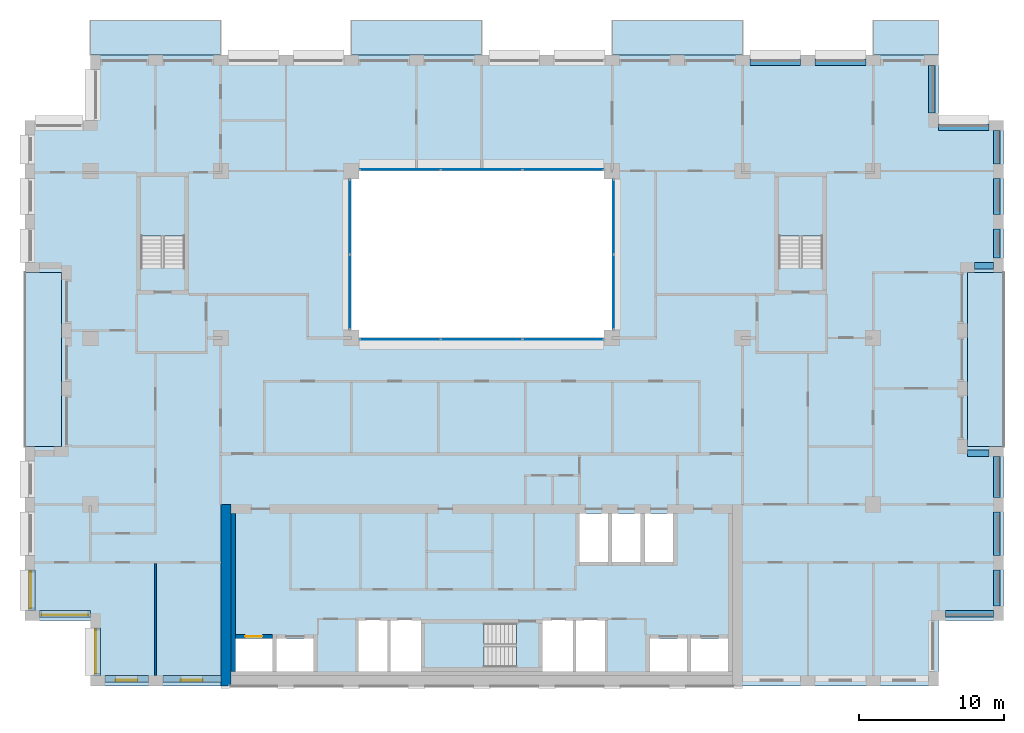
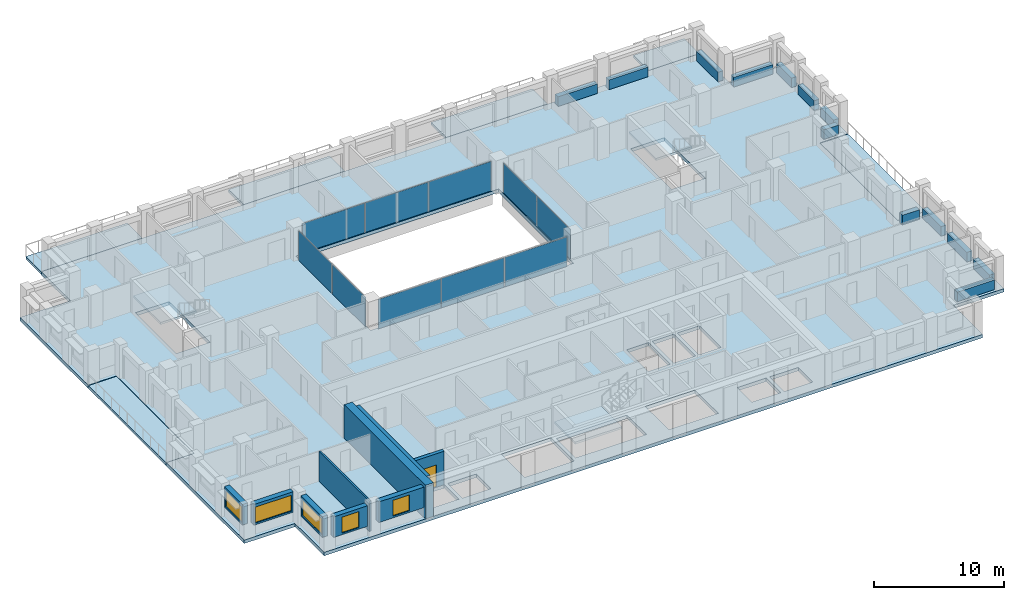
# One storey, part 7 of 15: 13 beams, 10 plates, 10 slabs, 9 walls, 5 windows, 1 door, 6 openings, 7 elements without a shape of their own.
"""IFC4 building model written with IfcOpenShell, lengths in metres."""

from ifc_helpers import new_model, si_unit, direction, frame, frame_2d, origin, origin_2d, place, context, subcontext, project, spatial, polyline, rectangle, outline, extrude, material, layer, layer_set, material_profile, profile_set, type_object, element, fill, aggregate, save


model = new_model("IFC4")

# Units and contexts
model_context = context("Model", 3, precision=1e-05, world=origin(), true_north=direction((0.0, 1.0)))
body_context = subcontext(model_context, "Body", "Model", "MODEL_VIEW")
ifc_project = project(units=[si_unit("LENGTHUNIT", "METRE"), si_unit("AREAUNIT", "SQUARE_METRE"), si_unit("VOLUMEUNIT", "CUBIC_METRE"), si_unit("PLANEANGLEUNIT", "RADIAN"), si_unit("MASSUNIT", "GRAM", prefix="KILO")], contexts=[model_context])

# Site, building, storey
site_placement = place(None, origin())
site = spatial("IfcSite", under=ifc_project, at=site_placement, CompositionType="ELEMENT")
building_placement = place(site_placement, origin())
building = spatial("IfcBuilding", under=site, at=building_placement, Name="Brigalow Station Residences", CompositionType="ELEMENT")
storey_placement = place(building_placement, frame((0.0, 0.0, 144.449951171875)))
storey = spatial("IfcBuildingStorey", under=building, at=storey_placement, Name="L41", CompositionType="ELEMENT", Elevation=144.449951171875)

# Beams
ifc_material_1 = material(Name="Concrete C50", Category="concrete")
ifc_material_profile = material_profile(ifc_material_1, rectangle(XDim=0.449951171875, YDim=0.89990234375, at=origin_2d()), Name="RC450x900")
ifc_profile_set = profile_set([ifc_material_profile], Name="Concrete C50")
beam_type = type_object("IfcBeamType", Name="SPANDREL BEAM 450x900 C50", PredefinedType="SPANDREL", material=ifc_profile_set)
beam_1_placement = place(storey_placement, frame((68.0, 4.97509765625, 0.449951171875), z_axis=(1.0, 0.0, 0.0), x_axis=(0.0, 1.0, 0.0)))
element("IfcBeam", 1, at=beam_1_placement, inside=storey, type_object=beam_type, Name="L41/spandrel/W-L41-8", PredefinedType="SPANDREL", context=body_context, shape_type="SweptSolid", body=[
    extrude(rectangle(XDim=0.449951171875, YDim=0.89990234375, at=origin_2d()), origin(), (0.0, 0.0, 1.0), 3.300048828125),
])
beam_2_placement = place(storey_placement, frame((71.52490234375, 5.5, 0.449951171875), z_axis=(0.0, 1.0, 0.0), x_axis=(-1.0, 0.0, 0.0)))
element("IfcBeam", 2, at=beam_2_placement, inside=storey, type_object=beam_type, Name="L41/spandrel/W-L41-9", PredefinedType="SPANDREL", context=body_context, shape_type="SweptSolid", body=[
    extrude(rectangle(XDim=0.449951171875, YDim=0.89990234375, at=origin_2d()), origin(), (0.0, 0.0, 1.0), 2.5),
])
beam_3_placement = place(storey_placement, frame((71.52490234375, 9.0, 0.449951171875), z_axis=(0.0, 1.0, 0.0), x_axis=(-1.0, 0.0, 0.0)))
element("IfcBeam", 3, at=beam_3_placement, inside=storey, type_object=beam_type, Name="L41/spandrel/W-L41-10", PredefinedType="SPANDREL", context=body_context, shape_type="SweptSolid", body=[
    extrude(rectangle(XDim=0.449951171875, YDim=0.89990234375, at=origin_2d()), origin(), (0.0, 0.0, 1.0), 3.0),
])
beam_4_placement = place(storey_placement, frame((71.52490234375, 13.0, 0.449951171875), z_axis=(0.0, 1.0, 0.0), x_axis=(-1.0, 0.0, 0.0)))
element("IfcBeam", 4, at=beam_4_placement, inside=storey, type_object=beam_type, Name="L41/spandrel/W-L41-11", PredefinedType="SPANDREL", context=body_context, shape_type="SweptSolid", body=[
    extrude(rectangle(XDim=0.449951171875, YDim=0.89990234375, at=origin_2d()), origin(), (0.0, 0.0, 1.0), 2.800048828125),
])
beam_5_placement = place(storey_placement, frame((71.0, 16.02490234375, 0.449951171875), z_axis=(-1.0, 0.0, 0.0), x_axis=(0.0, -1.0, 0.0)))
element("IfcBeam", 5, at=beam_5_placement, inside=storey, type_object=beam_type, Name="L41/spandrel/W-L41-12", PredefinedType="SPANDREL", context=body_context, shape_type="SweptSolid", body=[
    extrude(rectangle(XDim=0.449951171875, YDim=0.89990234375, at=origin_2d()), origin(), (0.0, 0.0, 1.0), 1.5),
])
beam_6_placement = place(storey_placement, frame((70.0, 28.97509765625, 0.449951171875), z_axis=(1.0, 0.0, 0.0), x_axis=(0.0, 1.0, 0.0)))
element("IfcBeam", 6, at=beam_6_placement, inside=storey, type_object=beam_type, Name="L41/spandrel/W-L41-16", PredefinedType="SPANDREL", context=body_context, shape_type="SweptSolid", body=[
    extrude(rectangle(XDim=0.449951171875, YDim=0.89990234375, at=origin_2d()), origin(), (0.0, 0.0, 1.0), 1.300048828125),
])
beam_7_placement = place(storey_placement, frame((71.52490234375, 29.5, 0.449951171875), z_axis=(0.0, 1.0, 0.0), x_axis=(-1.0, 0.0, 0.0)))
element("IfcBeam", 7, at=beam_7_placement, inside=storey, type_object=beam_type, Name="L41/spandrel/W-L41-17", PredefinedType="SPANDREL", context=body_context, shape_type="SweptSolid", body=[
    extrude(rectangle(XDim=0.449951171875, YDim=0.89990234375, at=origin_2d()), origin(), (0.0, 0.0, 1.0), 2.0),
])
beam_8_placement = place(storey_placement, frame((71.52490234375, 32.5, 0.449951171875), z_axis=(0.0, 1.0, 0.0), x_axis=(-1.0, 0.0, 0.0)))
element("IfcBeam", 8, at=beam_8_placement, inside=storey, type_object=beam_type, Name="L41/spandrel/W-L41-18", PredefinedType="SPANDREL", context=body_context, shape_type="SweptSolid", body=[
    extrude(rectangle(XDim=0.449951171875, YDim=0.89990234375, at=origin_2d()), origin(), (0.0, 0.0, 1.0), 2.5),
])
beam_9_placement = place(storey_placement, frame((71.52490234375, 36.0, 0.449951171875), z_axis=(0.0, 1.0, 0.0), x_axis=(-1.0, 0.0, 0.0)))
element("IfcBeam", 9, at=beam_9_placement, inside=storey, type_object=beam_type, Name="L41/spandrel/W-L41-19", PredefinedType="SPANDREL", context=body_context, shape_type="SweptSolid", body=[
    extrude(rectangle(XDim=0.449951171875, YDim=0.89990234375, at=origin_2d()), origin(), (0.0, 0.0, 1.0), 2.300048828125),
])
beam_10_placement = place(storey_placement, frame((71.0, 38.52490234375, 0.449951171875), z_axis=(-1.0, 0.0, 0.0), x_axis=(0.0, -1.0, 0.0)))
element("IfcBeam", 10, at=beam_10_placement, inside=storey, type_object=beam_type, Name="L41/spandrel/W-L41-20", PredefinedType="SPANDREL", context=body_context, shape_type="SweptSolid", body=[
    extrude(rectangle(XDim=0.449951171875, YDim=0.89990234375, at=origin_2d()), origin(), (0.0, 0.0, 1.0), 3.5),
])
beam_11_placement = place(storey_placement, frame((67.02490234375, 39.5, 0.449951171875), z_axis=(0.0, 1.0, 0.0), x_axis=(-1.0, 0.0, 0.0)))
element("IfcBeam", 11, at=beam_11_placement, inside=storey, type_object=beam_type, Name="L41/spandrel/W-L41-21", PredefinedType="SPANDREL", context=body_context, shape_type="SweptSolid", body=[
    extrude(rectangle(XDim=0.449951171875, YDim=0.89990234375, at=origin_2d()), origin(), (0.0, 0.0, 1.0), 3.300048828125),
])
for number, where, z_axis, x_axis, name in (
    (12, (62.5, 43.02490234375, 0.449951171875), (-1.0, 0.0, 0.0), (0.0, -1.0, 0.0), "L41/spandrel/W-L41-23"),
    (13, (58.0, 43.02490234375, 0.449951171875), (-1.0, 0.0, 0.0), (0.0, -1.0, 0.0), "L41/spandrel/W-L41-24"),
):
    element("IfcBeam", number, at=place(storey_placement, frame(where, z_axis=z_axis, x_axis=x_axis)), inside=storey, type_object=beam_type, Name=name, PredefinedType="SPANDREL", context=body_context, shape_type="SweptSolid", body=[
        extrude(rectangle(XDim=0.449951171875, YDim=0.89990234375, at=origin_2d()), origin(), (0.0, 0.0, 1.0), 3.5),
    ])

# Curtain wall, plates
ifc_material_2 = material(Name="Aluminium", Category="aluminium")
ifc_layer_1 = layer(ifc_material_2, 0.14990234375)
ifc_layer_set_1 = layer_set([ifc_layer_1], Name="ATRIUM FIRE-RATED GLAZING CURTAIN WALL")
curtain_wall_type = type_object("IfcCurtainWallType", Name="ATRIUM FIRE-RATED GLAZING CURTAIN WALL", PredefinedType="NOTDEFINED", material=ifc_layer_set_1)
curtain_wall_1_placement = place(storey_placement, origin())
curtain_wall_1 = element("IfcCurtainWall", 14, at=curtain_wall_1_placement, inside=storey, type_object=curtain_wall_type, Name="L41/cw/atrium-S", PredefinedType="NOTDEFINED")
ifc_material_3 = material(Name="Fire-resisting laminated glazing, FRL -/60/-", Category="glass")
ifc_layer_2 = layer(ifc_material_3, 0.031982421875)
ifc_layer_set_2 = layer_set([ifc_layer_2], Name="ATRIUM FIRE-RATED GLAZING PANEL 32")
plate_type = type_object("IfcPlateType", Name="ATRIUM FIRE-RATED GLAZING PANEL 32", PredefinedType="CURTAIN_PANEL", material=ifc_layer_set_2)
plate_1_placement = place(storey_placement, frame((30.381591796875, 23.89990234375, 0.0), z_axis=(0.0, 0.0, 1.0), x_axis=(1.0, 0.0, 0.0)))
plate_1 = element("IfcPlate", 15, at=plate_1_placement, type_object=plate_type, Name="L41/cw/atrium-S/P00-00", PredefinedType="CURTAIN_PANEL", context=body_context, shape_type="SweptSolid", body=[
    extrude(rectangle(XDim=5.543212890625, YDim=0.031982421875, at=origin_2d()), origin(), (0.0, 0.0, 1.0), 2.77001953125),
])
plate_2_placement = place(storey_placement, frame((36.0, 23.89990234375, 0.0), z_axis=(0.0, 0.0, 1.0), x_axis=(1.0, 0.0, 0.0)))
plate_2 = element("IfcPlate", 16, at=plate_2_placement, type_object=plate_type, Name="L41/cw/atrium-S/P01-00", PredefinedType="CURTAIN_PANEL", context=body_context, shape_type="SweptSolid", body=[
    extrude(rectangle(XDim=5.5732421875, YDim=0.031982421875, at=origin_2d()), origin(), (0.0, 0.0, 1.0), 2.77001953125),
])
plate_3_placement = place(storey_placement, frame((41.618408203125, 23.89990234375, 0.0), z_axis=(0.0, 0.0, 1.0), x_axis=(1.0, 0.0, 0.0)))
plate_3 = element("IfcPlate", 17, at=plate_3_placement, type_object=plate_type, Name="L41/cw/atrium-S/P02-00", PredefinedType="CURTAIN_PANEL", context=body_context, shape_type="SweptSolid", body=[
    extrude(rectangle(XDim=5.543212890625, YDim=0.031982421875, at=origin_2d()), origin(), (0.0, 0.0, 1.0), 2.77001953125),
])
aggregate(curtain_wall_1, [plate_1, plate_2, plate_3])

curtain_wall_2_placement = place(storey_placement, origin())
curtain_wall_2 = element("IfcCurtainWall", 18, at=curtain_wall_2_placement, inside=storey, type_object=curtain_wall_type, Name="L41/cw/atrium-E", PredefinedType="NOTDEFINED")
plate_4_placement = place(storey_placement, frame((45.10009765625, 27.1650390625, 0.0), z_axis=(0.0, 0.0, 1.0), x_axis=(0.0, 1.0, 0.0)))
plate_4 = element("IfcPlate", 19, at=plate_4_placement, type_object=plate_type, Name="L41/cw/atrium-E/P00-00", PredefinedType="CURTAIN_PANEL", context=body_context, shape_type="SweptSolid", body=[
    extrude(rectangle(XDim=5.110107421875, YDim=0.031982421875, at=origin_2d()), origin(), (0.0, 0.0, 1.0), 2.77001953125),
])
plate_5_placement = place(storey_placement, frame((45.10009765625, 32.3349609375, 0.0), z_axis=(0.0, 0.0, 1.0), x_axis=(0.0, 1.0, 0.0)))
plate_5 = element("IfcPlate", 20, at=plate_5_placement, type_object=plate_type, Name="L41/cw/atrium-E/P01-00", PredefinedType="CURTAIN_PANEL", context=body_context, shape_type="SweptSolid", body=[
    extrude(rectangle(XDim=5.110107421875, YDim=0.031982421875, at=origin_2d()), origin(), (0.0, 0.0, 1.0), 2.77001953125),
])
aggregate(curtain_wall_2, [plate_4, plate_5])

curtain_wall_3_placement = place(storey_placement, origin())
curtain_wall_3 = element("IfcCurtainWall", 21, at=curtain_wall_3_placement, inside=storey, type_object=curtain_wall_type, Name="L41/cw/atrium-N", PredefinedType="NOTDEFINED")
plate_6_placement = place(storey_placement, frame((41.618408203125, 35.60009765625, 0.0), z_axis=(0.0, 0.0, 1.0), x_axis=(-1.0, 0.0, 0.0)))
plate_6 = element("IfcPlate", 22, at=plate_6_placement, type_object=plate_type, Name="L41/cw/atrium-N/P00-00", PredefinedType="CURTAIN_PANEL", context=body_context, shape_type="SweptSolid", body=[
    extrude(rectangle(XDim=5.543212890625, YDim=0.031982421875, at=origin_2d()), origin(), (0.0, 0.0, 1.0), 2.77001953125),
])
plate_7_placement = place(storey_placement, frame((36.0, 35.60009765625, 0.0), z_axis=(0.0, 0.0, 1.0), x_axis=(-1.0, 0.0, 0.0)))
plate_7 = element("IfcPlate", 23, at=plate_7_placement, type_object=plate_type, Name="L41/cw/atrium-N/P01-00", PredefinedType="CURTAIN_PANEL", context=body_context, shape_type="SweptSolid", body=[
    extrude(rectangle(XDim=5.5732421875, YDim=0.031982421875, at=origin_2d()), origin(), (0.0, 0.0, 1.0), 2.77001953125),
])
plate_8_placement = place(storey_placement, frame((30.381591796875, 35.60009765625, 0.0), z_axis=(0.0, 0.0, 1.0), x_axis=(-1.0, 0.0, 0.0)))
plate_8 = element("IfcPlate", 24, at=plate_8_placement, type_object=plate_type, Name="L41/cw/atrium-N/P02-00", PredefinedType="CURTAIN_PANEL", context=body_context, shape_type="SweptSolid", body=[
    extrude(rectangle(XDim=5.543212890625, YDim=0.031982421875, at=origin_2d()), origin(), (0.0, 0.0, 1.0), 2.77001953125),
])
aggregate(curtain_wall_3, [plate_6, plate_7, plate_8])

curtain_wall_4_placement = place(storey_placement, origin())
curtain_wall_4 = element("IfcCurtainWall", 25, at=curtain_wall_4_placement, inside=storey, type_object=curtain_wall_type, Name="L41/cw/atrium-W", PredefinedType="NOTDEFINED")
plate_9_placement = place(storey_placement, frame((26.89990234375, 32.3349609375, 0.0), z_axis=(0.0, 0.0, 1.0), x_axis=(0.0, -1.0, 0.0)))
plate_9 = element("IfcPlate", 26, at=plate_9_placement, type_object=plate_type, Name="L41/cw/atrium-W/P00-00", PredefinedType="CURTAIN_PANEL", context=body_context, shape_type="SweptSolid", body=[
    extrude(rectangle(XDim=5.110107421875, YDim=0.031982421875, at=origin_2d()), origin(), (0.0, 0.0, 1.0), 2.77001953125),
])
plate_10_placement = place(storey_placement, frame((26.89990234375, 27.1650390625, 0.0), z_axis=(0.0, 0.0, 1.0), x_axis=(0.0, -1.0, 0.0)))
plate_10 = element("IfcPlate", 27, at=plate_10_placement, type_object=plate_type, Name="L41/cw/atrium-W/P01-00", PredefinedType="CURTAIN_PANEL", context=body_context, shape_type="SweptSolid", body=[
    extrude(rectangle(XDim=5.110107421875, YDim=0.031982421875, at=origin_2d()), origin(), (0.0, 0.0, 1.0), 2.77001953125),
])
aggregate(curtain_wall_4, [plate_9, plate_10])

# Slabs
ifc_material_4 = material(Name="Concrete C50 precast", Category="concrete")
ifc_layer_3 = layer(ifc_material_4, 0.25)
ifc_layer_set_3 = layer_set([ifc_layer_3], Name="BALCONY SLAB 250")
slab_type_1 = type_object("IfcSlabType", Name="BALCONY SLAB 250", PredefinedType="USERDEFINED", material=ifc_layer_set_3)
slab_1_placement = place(storey_placement, frame((0.0, 0.0, -0.2900390625)))
element("IfcSlab", 28, at=slab_1_placement, inside=storey, type_object=slab_type_1, Name="L41/balcony/1", ObjectType="BALCONY", PredefinedType="USERDEFINED", context=body_context, shape_type="SweptSolid", body=[
    extrude(outline(polyline([(69.5, 16.5), (72.0, 16.5), (72.0, 28.5), (69.5, 28.5), (69.5, 16.5)])), origin(), (0.0, 0.0, 1.0), 0.25),
])
slab_2_placement = place(storey_placement, frame((0.0, 0.0, -0.2900390625)))
element("IfcSlab", 29, at=slab_2_placement, inside=storey, type_object=slab_type_1, Name="L41/balcony/2", ObjectType="BALCONY", PredefinedType="USERDEFINED", context=body_context, shape_type="SweptSolid", body=[
    extrude(outline(polyline([(67.5, 43.5), (67.5, 45.89990234375), (63.0, 45.89990234375), (63.0, 43.5), (67.5, 43.5)])), origin(), (0.0, 0.0, 1.0), 0.25),
])
slab_3_placement = place(storey_placement, frame((0.0, 0.0, -0.2900390625)))
element("IfcSlab", 30, at=slab_3_placement, inside=storey, type_object=slab_type_1, Name="L41/balcony/3", ObjectType="BALCONY", PredefinedType="USERDEFINED", context=body_context, shape_type="SweptSolid", body=[
    extrude(outline(polyline([(54.0, 43.5), (54.0, 45.89990234375), (45.0, 45.89990234375), (45.0, 43.5), (54.0, 43.5)])), origin(), (0.0, 0.0, 1.0), 0.25),
])
slab_4_placement = place(storey_placement, frame((0.0, 0.0, -0.2900390625)))
element("IfcSlab", 31, at=slab_4_placement, inside=storey, type_object=slab_type_1, Name="L41/balcony/4", ObjectType="BALCONY", PredefinedType="USERDEFINED", context=body_context, shape_type="SweptSolid", body=[
    extrude(outline(polyline([(36.0, 43.5), (36.0, 45.89990234375), (27.0, 45.89990234375), (27.0, 43.5), (36.0, 43.5)])), origin(), (0.0, 0.0, 1.0), 0.25),
])
slab_5_placement = place(storey_placement, frame((0.0, 0.0, -0.2900390625)))
element("IfcSlab", 32, at=slab_5_placement, inside=storey, type_object=slab_type_1, Name="L41/balcony/5", ObjectType="BALCONY", PredefinedType="USERDEFINED", context=body_context, shape_type="SweptSolid", body=[
    extrude(outline(polyline([(18.0, 43.5), (18.0, 45.89990234375), (9.0, 45.89990234375), (9.0, 43.5), (18.0, 43.5)])), origin(), (0.0, 0.0, 1.0), 0.25),
])
slab_6_placement = place(storey_placement, frame((0.0, 0.0, -0.2900390625)))
element("IfcSlab", 33, at=slab_6_placement, inside=storey, type_object=slab_type_1, Name="L41/balcony/6", ObjectType="BALCONY", PredefinedType="USERDEFINED", context=body_context, shape_type="SweptSolid", body=[
    extrude(outline(polyline([(7.0, 28.5), (4.5, 28.5), (4.5, 16.5), (7.0, 16.5), (7.0, 28.5)])), origin(), (0.0, 0.0, 1.0), 0.25),
])
ifc_material_5 = material(Name="Concrete C50", Category="concrete")
ifc_layer_4 = layer(ifc_material_5, 0.320068359375)
ifc_layer_set_4 = layer_set([ifc_layer_4], Name="POST-TENSIONED FLAT PLATE 320 C50")
slab_type_2 = type_object("IfcSlabType", Name="POST-TENSIONED FLAT PLATE 320 C50", PredefinedType="FLOOR", material=ifc_layer_set_4)
slab_7_placement = place(storey_placement, frame((0.0, 0.0, -0.320068359375)))
element("IfcSlab", 34, at=slab_7_placement, inside=storey, type_object=slab_type_2, Name="FLOOR SLAB L41", PredefinedType="FLOOR", context=body_context, shape_type="SweptSolid", body=[
    extrude(outline(polyline([(9.0, 0.0), (67.5, 0.0), (67.5, 4.5), (72.0, 4.5), (72.0, 16.5), (69.5, 16.5), (69.5, 28.5), (72.0, 28.5), (72.0, 39.0), (67.5, 39.0), (67.5, 43.5), (9.0, 43.5), (9.0, 39.0), (4.5, 39.0), (4.5, 28.5), (7.0, 28.5), (7.0, 16.5), (4.5, 16.5), (4.5, 4.5), (9.0, 4.5), (9.0, 0.0)]), holes=[polyline([(12.5048828125, 35.094970703125), (15.4951171875, 35.094970703125), (15.4951171875, 28.804931640625), (12.5048828125, 28.804931640625), (12.5048828125, 35.094970703125)]), polyline([(19.0, 1.0), (19.0, 3.25), (21.550048828125, 3.25), (21.550048828125, 1.0), (19.0, 1.0)]), polyline([(21.85009765625, 3.25), (24.39990234375, 3.25), (24.39990234375, 1.0), (21.85009765625, 1.0), (21.85009765625, 3.25)]), polyline([(27.0, 35.5), (45.0, 35.5), (45.0, 24.0), (27.0, 24.0), (27.0, 35.5)]), polyline([(29.60009765625, 4.60009765625), (31.800048828125, 4.60009765625), (31.800048828125, 1.0), (29.60009765625, 1.0), (27.39990234375, 1.0), (27.39990234375, 4.60009765625), (29.60009765625, 4.60009765625)]), polyline([(32.10498046875, 4.294921875), (38.39501953125, 4.294921875), (38.39501953125, 1.304931640625), (32.10498046875, 1.304931640625), (32.10498046875, 4.294921875)]), polyline([(40.199951171875, 4.60009765625), (42.39990234375, 4.60009765625), (44.60009765625, 4.60009765625), (44.60009765625, 1.0), (42.39990234375, 1.0), (40.199951171875, 1.0), (40.199951171875, 4.60009765625)]), polyline([(42.75, 11.89990234375), (44.699951171875, 11.89990234375), (44.699951171875, 8.550048828125), (42.75, 8.550048828125), (42.75, 11.89990234375)]), polyline([(45.0, 11.89990234375), (46.949951171875, 11.89990234375), (46.949951171875, 8.550048828125), (45.0, 8.550048828125), (45.0, 11.89990234375)]), polyline([(47.25, 11.89990234375), (49.199951171875, 11.89990234375), (49.199951171875, 8.550048828125), (47.25, 8.550048828125), (47.25, 11.89990234375)]), polyline([(47.60009765625, 3.25), (50.14990234375, 3.25), (50.14990234375, 1.0), (47.60009765625, 1.0), (47.60009765625, 3.25)]), polyline([(50.449951171875, 3.25), (53.0, 3.25), (53.0, 1.0), (50.449951171875, 1.0), (50.449951171875, 3.25)]), polyline([(56.5048828125, 35.094970703125), (59.4951171875, 35.094970703125), (59.4951171875, 28.804931640625), (56.5048828125, 28.804931640625), (56.5048828125, 35.094970703125)])]), origin(), (0.0, 0.0, 1.0), 0.320068359375),
])

# Stair, slab
ifc_material_6 = material(Name="Concrete C50", Category="concrete")
stair_type = type_object("IfcStairType", Name="EXIT STAIR 1400 2 FLIGHT", PredefinedType="HALF_TURN_STAIR", material=ifc_material_6)
stair_1_placement = place(storey_placement, origin())
stair_1 = element("IfcStair", 35, at=stair_1_placement, inside=storey, type_object=stair_type, Name="EXIT STAIR S2 L41", PredefinedType="HALF_TURN_STAIR")
ifc_material_7 = material(Name="Concrete C50", Category="concrete")
ifc_layer_5 = layer(ifc_material_7, 0.199951171875)
ifc_layer_set_5 = layer_set([ifc_layer_5], Name="STAIR LANDING 200")
slab_type_3 = type_object("IfcSlabType", Name="STAIR LANDING 200", PredefinedType="LANDING", material=ifc_layer_set_5)
slab_8_placement = place(storey_placement, frame((0.0, 0.0, 1.375)))
slab_8 = element("IfcSlab", 36, at=slab_8_placement, type_object=slab_type_3, Name="ST-2 landing 1", PredefinedType="LANDING", context=body_context, shape_type="SweptSolid", body=[
    extrude(outline(polyline([(32.0, 1.199951171875), (36.159912109375, 1.199951171875), (36.159912109375, 4.39990234375), (32.0, 4.39990234375), (32.0, 1.199951171875)])), origin(), (0.0, 0.0, 1.0), 0.199951171875),
])
aggregate(stair_1, [slab_8])

stair_2_placement = place(storey_placement, origin())
stair_2 = element("IfcStair", 37, at=stair_2_placement, inside=storey, type_object=stair_type, Name="EXIT STAIR S1 L41", PredefinedType="HALF_TURN_STAIR")
slab_9_placement = place(storey_placement, frame((0.0, 0.0, 1.375)))
slab_9 = element("IfcSlab", 38, at=slab_9_placement, type_object=slab_type_3, Name="ST-1 landing 1", PredefinedType="LANDING", context=body_context, shape_type="SweptSolid", body=[
    extrude(outline(polyline([(12.39990234375, 31.0400390625), (15.60009765625, 31.0400390625), (15.60009765625, 35.199951171875), (12.39990234375, 35.199951171875), (12.39990234375, 31.0400390625)])), origin(), (0.0, 0.0, 1.0), 0.199951171875),
])
aggregate(stair_2, [slab_9])

stair_3_placement = place(storey_placement, origin())
stair_3 = element("IfcStair", 39, at=stair_3_placement, inside=storey, type_object=stair_type, Name="EXIT STAIR S3 L41", PredefinedType="HALF_TURN_STAIR")
slab_10_placement = place(storey_placement, frame((0.0, 0.0, 1.375)))
slab_10 = element("IfcSlab", 40, at=slab_10_placement, type_object=slab_type_3, Name="ST-3 landing 1", PredefinedType="LANDING", context=body_context, shape_type="SweptSolid", body=[
    extrude(outline(polyline([(56.39990234375, 31.0400390625), (59.60009765625, 31.0400390625), (59.60009765625, 35.199951171875), (56.39990234375, 35.199951171875), (56.39990234375, 31.0400390625)])), origin(), (0.0, 0.0, 1.0), 0.199951171875),
])
aggregate(stair_3, [slab_10])

# Wall, opening, window
ifc_material_8 = material(Name="Clay brick masonry", Category="masonry")
ifc_layer_6 = layer(ifc_material_8, 0.449951171875)
ifc_layer_set_6 = layer_set([ifc_layer_6], Name="BRICK INFILL WALL 450")
wall_type_1 = type_object("IfcWallType", Name="BRICK INFILL WALL 450", PredefinedType="SOLIDWALL", material=ifc_layer_set_6)
wall_1_placement = place(storey_placement, frame((10.0, 0.47509765625, 0.900146484375), z_axis=(0.0, 0.0, 1.0), x_axis=(1.0, 0.0, 0.0)))
wall_1 = element("IfcWall", 41, at=wall_1_placement, inside=storey, type_object=wall_type_1, Name="L41/ewall/W-L41-1", PredefinedType="SOLIDWALL", context=body_context, shape_type="SweptSolid", body=[
    extrude(rectangle(XDim=3.0, YDim=0.449951171875, at=frame_2d((1.5, 0.0))), origin(), (0.0, 0.0, 1.0), 1.929931640625),
])
opening_1_placement = place(wall_1_placement, frame((0.75, 0.0, 0.14990234375)))
opening_1 = element("IfcOpeningElement", 42, at=opening_1_placement, cuts=wall_1, Name="Opening WT-1", PredefinedType="OPENING", context=body_context, shape_type="SweptSolid", body=[
    extrude(rectangle(XDim=1.5, YDim=1.5, at=frame_2d((0.75, 0.75))), frame((0.0, 0.23486328125, 0.0), z_axis=(0.0, -1.0, 0.0), x_axis=(1.0, 0.0, 0.0)), (0.0, 0.0, 1.0), 0.469970703125),
])
ifc_material_9 = material(Name="Anodised aluminium frame with double glazing", Category="aluminium")
window_type_1 = type_object("IfcWindowType", Name="WINDOW 1500x1500", PartitioningType="SINGLE_PANEL", PredefinedType="WINDOW", material=ifc_material_9)
window_1_placement = place(opening_1_placement, origin())
window_1 = element("IfcWindow", 43, at=window_1_placement, inside=storey, type_object=window_type_1, Name="L41/window/W-L41-1", OverallHeight=1.5, OverallWidth=1.5, PartitioningType="SINGLE_PANEL", PredefinedType="WINDOW", context=body_context, shape_type="SweptSolid", body=[
    extrude(rectangle(XDim=1.5, YDim=1.5, at=frame_2d((0.75, 0.75))), frame((0.0, -0.06494140625, 0.0), z_axis=(0.0, -1.0, 0.0), x_axis=(1.0, 0.0, 0.0)), (0.0, 0.0, 1.0), 0.06005859375),
])
fill(opening_1, window_1)

wall_2_placement = place(storey_placement, frame((14.0, 0.47509765625, 0.900146484375), z_axis=(0.0, 0.0, 1.0), x_axis=(1.0, 0.0, 0.0)))
wall_2 = element("IfcWall", 44, at=wall_2_placement, inside=storey, type_object=wall_type_1, Name="L41/ewall/W-L41-2", PredefinedType="SOLIDWALL", context=body_context, shape_type="SweptSolid", body=[
    extrude(rectangle(XDim=4.0, YDim=0.449951171875, at=frame_2d((2.0, 0.0))), origin(), (0.0, 0.0, 1.0), 1.929931640625),
])
opening_2_placement = place(wall_2_placement, frame((1.25, 0.0, 0.14990234375)))
opening_2 = element("IfcOpeningElement", 45, at=opening_2_placement, cuts=wall_2, Name="Opening WT-1", PredefinedType="OPENING", context=body_context, shape_type="SweptSolid", body=[
    extrude(rectangle(XDim=1.5, YDim=1.5, at=frame_2d((0.75, 0.75))), frame((0.0, 0.23486328125, 0.0), z_axis=(0.0, -1.0, 0.0), x_axis=(1.0, 0.0, 0.0)), (0.0, 0.0, 1.0), 0.469970703125),
])
window_2_placement = place(opening_2_placement, origin())
window_2 = element("IfcWindow", 46, at=window_2_placement, inside=storey, type_object=window_type_1, Name="L41/window/W-L41-2", OverallHeight=1.5, OverallWidth=1.5, PartitioningType="SINGLE_PANEL", PredefinedType="WINDOW", context=body_context, shape_type="SweptSolid", body=[
    extrude(rectangle(XDim=1.5, YDim=1.5, at=frame_2d((0.75, 0.75))), frame((0.0, -0.06494140625, 0.0), z_axis=(0.0, -1.0, 0.0), x_axis=(1.0, 0.0, 0.0)), (0.0, 0.0, 1.0), 0.06005859375),
])
fill(opening_2, window_2)

wall_3_placement = place(storey_placement, frame((4.97509765625, 8.0, 0.900146484375), z_axis=(0.0, 0.0, 1.0), x_axis=(0.0, -1.0, 0.0)))
wall_3 = element("IfcWall", 47, at=wall_3_placement, inside=storey, type_object=wall_type_1, Name="L41/ewall/W-L41-47", PredefinedType="SOLIDWALL", context=body_context, shape_type="SweptSolid", body=[
    extrude(rectangle(XDim=2.800048828125, YDim=0.449951171875, at=frame_2d((1.39990234375, 0.0))), origin(), (0.0, 0.0, 1.0), 1.929931640625),
])
opening_3_placement = place(wall_3_placement, frame((0.14990234375, 0.0, 0.14990234375)))
opening_3 = element("IfcOpeningElement", 48, at=opening_3_placement, cuts=wall_3, Name="Opening WT-5", PredefinedType="OPENING", context=body_context, shape_type="SweptSolid", body=[
    extrude(rectangle(XDim=2.5, YDim=1.5, at=frame_2d((1.25, 0.75))), frame((0.0, 0.23486328125, 0.0), z_axis=(0.0, -1.0, 0.0), x_axis=(1.0, 0.0, 0.0)), (0.0, 0.0, 1.0), 0.469970703125),
])
ifc_material_10 = material(Name="Anodised aluminium frame with double glazing", Category="aluminium")
window_type_2 = type_object("IfcWindowType", Name="WINDOW 2500x1500", PartitioningType="SINGLE_PANEL", PredefinedType="WINDOW", material=ifc_material_10)
window_3_placement = place(opening_3_placement, origin())
window_3 = element("IfcWindow", 49, at=window_3_placement, inside=storey, type_object=window_type_2, Name="L41/window/W-L41-47", OverallHeight=1.5, OverallWidth=2.5, PartitioningType="SINGLE_PANEL", PredefinedType="WINDOW", context=body_context, shape_type="SweptSolid", body=[
    extrude(rectangle(XDim=2.5, YDim=1.5, at=frame_2d((1.25, 0.75))), frame((0.0, -0.06494140625, 0.0), z_axis=(0.0, -1.0, 0.0), x_axis=(1.0, 0.0, 0.0)), (0.0, 0.0, 1.0), 0.06005859375),
])
fill(opening_3, window_3)

wall_4_placement = place(storey_placement, frame((5.5, 4.97509765625, 0.900146484375), z_axis=(0.0, 0.0, 1.0), x_axis=(1.0, 0.0, 0.0)))
wall_4 = element("IfcWall", 50, at=wall_4_placement, inside=storey, type_object=wall_type_1, Name="L41/ewall/W-L41-48", PredefinedType="SOLIDWALL", context=body_context, shape_type="SweptSolid", body=[
    extrude(rectangle(XDim=3.5, YDim=0.449951171875, at=frame_2d((1.75, 0.0))), origin(), (0.0, 0.0, 1.0), 1.929931640625),
])
opening_4_placement = place(wall_4_placement, frame((0.14990234375, 0.0, 0.14990234375)))
opening_4 = element("IfcOpeningElement", 51, at=opening_4_placement, cuts=wall_4, Name="Opening WT-9", PredefinedType="OPENING", context=body_context, shape_type="SweptSolid", body=[
    extrude(rectangle(XDim=3.199951171875, YDim=1.5, at=frame_2d((1.60009765625, 0.75))), frame((0.0, 0.23486328125, 0.0), z_axis=(0.0, -1.0, 0.0), x_axis=(1.0, 0.0, 0.0)), (0.0, 0.0, 1.0), 0.469970703125),
])
ifc_material_11 = material(Name="Anodised aluminium frame with double glazing", Category="aluminium")
window_type_3 = type_object("IfcWindowType", Name="WINDOW 3200x1500", PartitioningType="SINGLE_PANEL", PredefinedType="WINDOW", material=ifc_material_11)
window_4_placement = place(opening_4_placement, origin())
window_4 = element("IfcWindow", 52, at=window_4_placement, inside=storey, type_object=window_type_3, Name="L41/window/W-L41-48", OverallHeight=1.5, OverallWidth=3.199951171875, PartitioningType="SINGLE_PANEL", PredefinedType="WINDOW", context=body_context, shape_type="SweptSolid", body=[
    extrude(rectangle(XDim=3.199951171875, YDim=1.5, at=frame_2d((1.60009765625, 0.75))), frame((0.0, -0.06494140625, 0.0), z_axis=(0.0, -1.0, 0.0), x_axis=(1.0, 0.0, 0.0)), (0.0, 0.0, 1.0), 0.06005859375),
])
fill(opening_4, window_4)

wall_5_placement = place(storey_placement, frame((9.47509765625, 4.0, 0.900146484375), z_axis=(0.0, 0.0, 1.0), x_axis=(0.0, -1.0, 0.0)))
wall_5 = element("IfcWall", 53, at=wall_5_placement, inside=storey, type_object=wall_type_1, Name="L41/ewall/W-L41-49", PredefinedType="SOLIDWALL", context=body_context, shape_type="SweptSolid", body=[
    extrude(rectangle(XDim=3.300048828125, YDim=0.449951171875, at=frame_2d((1.64990234375, 0.0))), origin(), (0.0, 0.0, 1.0), 1.929931640625),
])
opening_5_placement = place(wall_5_placement, frame((0.14990234375, 0.0, 0.14990234375)))
opening_5 = element("IfcOpeningElement", 54, at=opening_5_placement, cuts=wall_5, Name="Opening WT-2", PredefinedType="OPENING", context=body_context, shape_type="SweptSolid", body=[
    extrude(rectangle(XDim=3.0, YDim=1.5, at=frame_2d((1.5, 0.75))), frame((0.0, 0.23486328125, 0.0), z_axis=(0.0, -1.0, 0.0), x_axis=(1.0, 0.0, 0.0)), (0.0, 0.0, 1.0), 0.469970703125),
])
ifc_material_12 = material(Name="Anodised aluminium frame with double glazing", Category="aluminium")
window_type_4 = type_object("IfcWindowType", Name="WINDOW 3000x1500", PartitioningType="SINGLE_PANEL", PredefinedType="WINDOW", material=ifc_material_12)
window_5_placement = place(opening_5_placement, origin())
window_5 = element("IfcWindow", 55, at=window_5_placement, inside=storey, type_object=window_type_4, Name="L41/window/W-L41-49", OverallHeight=1.5, OverallWidth=3.0, PartitioningType="SINGLE_PANEL", PredefinedType="WINDOW", context=body_context, shape_type="SweptSolid", body=[
    extrude(rectangle(XDim=3.0, YDim=1.5, at=frame_2d((1.5, 0.75))), frame((0.0, -0.06494140625, 0.0), z_axis=(0.0, -1.0, 0.0), x_axis=(1.0, 0.0, 0.0)), (0.0, 0.0, 1.0), 0.06005859375),
])
fill(opening_5, window_5)

# Wall
ifc_material_13 = material(Name="Concrete C65", Category="concrete")
ifc_layer_7 = layer(ifc_material_13, 0.300048828125)
ifc_layer_set_7 = layer_set([ifc_layer_7], Name="CORE SHEAR WALL 300 C65")
wall_type_2 = type_object("IfcWallType", Name="CORE SHEAR WALL 300 C65", PredefinedType="SHEAR", material=ifc_layer_set_7)
wall_6_placement = place(storey_placement, frame((18.85009765625, 1.0, 0.0), z_axis=(0.0, 0.0, 1.0), x_axis=(0.0, 1.0, 0.0)))
element("IfcWall", 56, at=wall_6_placement, inside=storey, type_object=wall_type_2, Name="CORE WALL LIN-W L41", PredefinedType="SHEAR", context=body_context, shape_type="SweptSolid", body=[
    extrude(rectangle(XDim=10.89990234375, YDim=0.300048828125, at=frame_2d((5.449951171875, 0.0))), origin(), (0.0, 0.0, 1.0), 3.150146484375),
])

# Wall, opening, door
wall_7_placement = place(storey_placement, frame((19.0, 3.39990234375, 0.0), z_axis=(0.0, 0.0, 1.0), x_axis=(1.0, 0.0, 0.0)))
wall_7 = element("IfcWall", 57, at=wall_7_placement, inside=storey, type_object=wall_type_2, Name="CORE WALL SH-C1-N L41", PredefinedType="SHEAR", context=body_context, shape_type="SweptSolid", body=[
    extrude(rectangle(XDim=2.550048828125, YDim=0.300048828125, at=frame_2d((1.27490234375, 0.0))), origin(), (0.0, 0.0, 1.0), 3.150146484375),
])
opening_6_placement = place(wall_7_placement, frame((0.675048828125, 0.0, 0.0)))
opening_6 = element("IfcOpeningElement", 58, at=opening_6_placement, cuts=wall_7, Name="Opening LD-LB1", PredefinedType="OPENING", context=body_context, shape_type="SweptSolid", body=[
    extrude(rectangle(XDim=1.199951171875, YDim=2.10009765625, at=frame_2d((0.60009765625, 1.050048828125))), frame((0.0, 0.16015625, 0.0), z_axis=(0.0, -1.0, 0.0), x_axis=(1.0, 0.0, 0.0)), (0.0, 0.0, 1.0), 0.320068359375),
])
ifc_material_14 = material(Name="Stainless steel sliding door leaves", Category="steel")
door_type = type_object("IfcDoorType", Name="LIFT LANDING DOOR 1200 x 2100", OperationType="DOUBLE_DOOR_SLIDING", PredefinedType="DOOR", material=ifc_material_14)
door_placement = place(opening_6_placement, origin())
door = element("IfcDoor", 59, at=door_placement, inside=storey, type_object=door_type, Name="LANDING DOOR LB1", OperationType="DOUBLE_DOOR_SLIDING", OverallHeight=2.10009765625, OverallWidth=1.199951171875, PredefinedType="DOOR", context=body_context, shape_type="SweptSolid", body=[
    extrude(rectangle(XDim=1.199951171875, YDim=2.10009765625, at=frame_2d((0.60009765625, 1.050048828125))), frame((0.0, 0.02490234375, 0.0), z_axis=(0.0, -1.0, 0.0), x_axis=(1.0, 0.0, 0.0)), (0.0, 0.0, 1.0), 0.050048828125),
])
fill(opening_6, door)

# Walls
ifc_material_15 = material(Name="Concrete C65", Category="concrete")
ifc_layer_8 = layer(ifc_material_15, 0.699951171875)
ifc_layer_set_8 = layer_set([ifc_layer_8], Name="CORE SHEAR WALL 700 C65")
wall_type_3 = type_object("IfcWallType", Name="CORE SHEAR WALL 700 C65", PredefinedType="SHEAR", material=ifc_layer_set_8)
wall_8_placement = place(storey_placement, frame((18.35009765625, 0.0, 0.0), z_axis=(0.0, 0.0, 1.0), x_axis=(0.0, 1.0, 0.0)))
element("IfcWall", 60, at=wall_8_placement, inside=storey, type_object=wall_type_3, Name="CORE WALL OUT-W L41", PredefinedType="SHEAR", context=body_context, shape_type="SweptSolid", body=[
    extrude(rectangle(XDim=12.5, YDim=0.699951171875, at=frame_2d((6.25, 0.0))), origin(), (0.0, 0.0, 1.0), 3.150146484375),
])
ifc_material_16 = material(Name="Plasterboard on steel stud partition", Category="steel")
ifc_layer_9 = layer(ifc_material_16, 0.14990234375)
ifc_layer_set_9 = layer_set([ifc_layer_9], Name="FLAT PARTITION 150")
wall_type_4 = type_object("IfcWallType", Name="FLAT PARTITION 150", PredefinedType="PARTITIONING", material=ifc_layer_set_9)
wall_9_placement = place(storey_placement, frame((13.5, 0.699951171875, 0.0), z_axis=(0.0, 0.0, 1.0), x_axis=(0.0, 1.0, 0.0)))
element("IfcWall", 61, at=wall_9_placement, inside=storey, type_object=wall_type_4, Name="PW-3A38", PredefinedType="PARTITIONING", context=body_context, shape_type="SweptSolid", body=[
    extrude(rectangle(XDim=7.72509765625, YDim=0.14990234375, at=frame_2d((3.862548828125, 0.0))), origin(), (0.0, 0.0, 1.0), 2.830078125),
])

save(model, "model.ifc")
